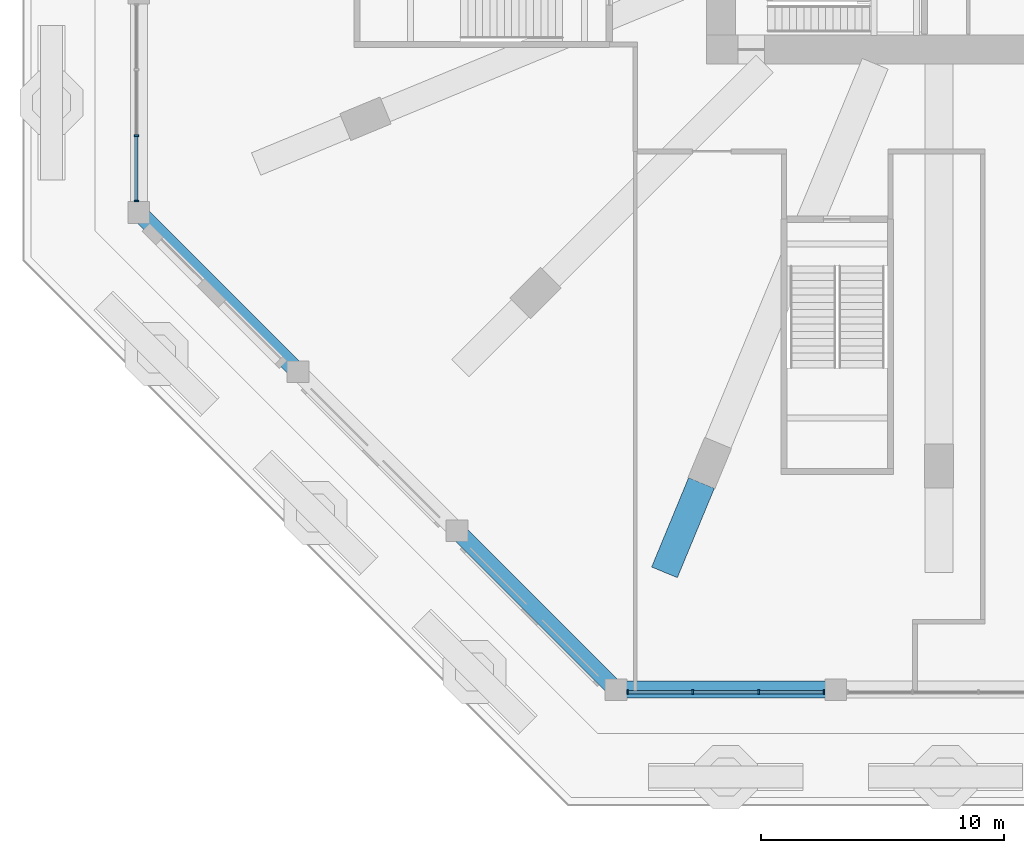
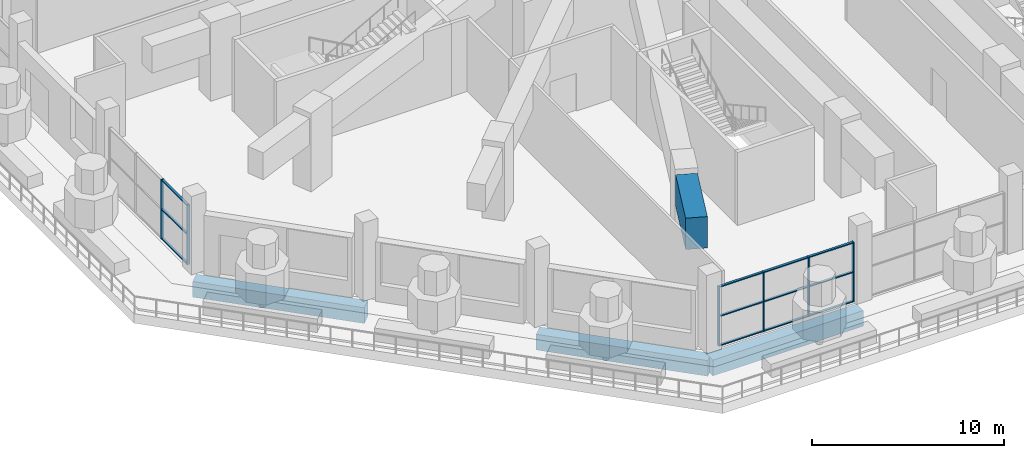
# One storey, part 2 of 25: 18 members, 4 beams, 2 elements without a shape of their own.
"""IFC4 building model written with IfcOpenShell, lengths in metres."""

import ifcopenshell
import ifcopenshell.guid

model = None  # the IFC model being written
_history = None  # IfcOwnerHistory: only IFC2X3 demands one
_inside = {}  # id of a spatial element -> (the spatial element, [elements in it])
_under = {}  # id of a project, library or spatial element -> (it, [spatial elements below it])
_declared = {}  # id of a project -> (the project, [libraries it declares])
_typed = {}  # id of a type object -> (the type object, [elements of that type])
_made_of = {}  # id of a material, layer set ... -> (it, [elements and type objects made of it])


def new_model(schema):
    """Start an empty IFC model of exactly this schema.

    Asked for "IFC4X3", IfcOpenShell would pick the latest addendum, in which some entities
    have other attributes; the version numbers below select the first issue.
    IFC2X3 requires an IfcOwnerHistory on every rooted entity: one is made here for all.
    """
    global model, _history
    if schema == "IFC4X3":
        model = ifcopenshell.file(schema_version=(4, 3, 0, 0))
    else:
        model = ifcopenshell.file(schema=schema)
    _inside.clear()
    _under.clear()
    _declared.clear()
    _typed.clear()
    _made_of.clear()
    _history = None
    if model.schema == "IFC2X3":
        org = make("IfcOrganization", Name="unknown")
        user = make(
            "IfcPersonAndOrganization",
            ThePerson=make("IfcPerson", FamilyName="unknown"),
            TheOrganization=org,
        )
        app = make(
            "IfcApplication",
            ApplicationDeveloper=org,
            Version="unknown",
            ApplicationFullName="unknown",
            ApplicationIdentifier="unknown",
        )
        _history = make(
            "IfcOwnerHistory",
            OwningUser=user,
            OwningApplication=app,
            ChangeAction="ADDED",
            CreationDate=0,
        )
    return model


def make(cls, **values):
    """One entity of the class cls with the attributes given. An attribute that is None is left unset."""
    return model.create_entity(
        cls, **{name: value for name, value in values.items() if value is not None}
    )


def rooted(cls, **values):
    """An entity with a GlobalId (a new one), such as an element, a storey or a relation."""
    return make(cls, GlobalId=ifcopenshell.guid.new(), OwnerHistory=_history, **values)


def si_unit(unit_type, name, prefix=None):
    """IfcSIUnit, for example si_unit("LENGTHUNIT", "METRE", prefix="MILLI")."""
    return make("IfcSIUnit", UnitType=unit_type, Prefix=prefix, Name=name)


def assignment(units):
    """IfcUnitAssignment: the units of a project."""
    return None if units is None else make("IfcUnitAssignment", Units=units)


def point(xyz):
    """IfcCartesianPoint."""
    return None if xyz is None else make("IfcCartesianPoint", Coordinates=xyz)


def direction(xyz):
    """IfcDirection."""
    return None if xyz is None else make("IfcDirection", DirectionRatios=xyz)


def frame(location, z_axis=None, x_axis=None):
    """IfcAxis2Placement3D, a coordinate frame: its origin and axes. An axis left out is left unset."""
    return make(
        "IfcAxis2Placement3D",
        Location=point(location),
        Axis=direction(z_axis),
        RefDirection=direction(x_axis),
    )


def frame_2d(location, x_axis=None):
    """IfcAxis2Placement2D, a coordinate frame in the plane: its origin and x axis."""
    return make(
        "IfcAxis2Placement2D", Location=point(location), RefDirection=direction(x_axis)
    )


def origin():
    """The frame at (0, 0, 0) with its axes left unset."""
    return frame((0.0, 0.0, 0.0))


def origin_2d():
    """The frame at (0, 0) in the plane with its x axis left unset."""
    return frame_2d((0.0, 0.0))


def place(relative_to, where):
    """IfcLocalPlacement: puts the frame where relative to a parent placement (None: the world)."""
    return make(
        "IfcLocalPlacement", PlacementRelTo=relative_to, RelativePlacement=where
    )


def context(
    kind, dimensions, precision=None, world=None, true_north=None, identifier=None
):
    """IfcGeometricRepresentationContext, for example the 3D "Model" context."""
    return make(
        "IfcGeometricRepresentationContext",
        ContextIdentifier=identifier,
        ContextType=kind,
        CoordinateSpaceDimension=dimensions,
        Precision=precision,
        WorldCoordinateSystem=world,
        TrueNorth=true_north,
    )


def subcontext(parent, identifier, kind, view, scale=None):
    """IfcGeometricRepresentationSubContext, for example "Body" below "Model"."""
    return make(
        "IfcGeometricRepresentationSubContext",
        ContextIdentifier=identifier,
        ContextType=kind,
        ParentContext=parent,
        TargetScale=scale,
        TargetView=view,
    )


def project(units=None, contexts=None):
    """IfcProject with its units and contexts."""
    return rooted(
        "IfcProject",
        Name="project",
        RepresentationContexts=contexts,
        UnitsInContext=assignment(units),
    )


def spatial(cls, under=None, at=None, **own):
    """A site, building, storey or space (cls), placed at a placement, below another one or the project."""
    s = rooted(cls, ObjectPlacement=at, **own)
    if under is not None:
        _under.setdefault(under.id(), (under, []))[1].append(s)
    return s


def profile(cls, at=None, kind="AREA", **sizes):
    """A parametric profile (cls). Its sizes go by their IFC names, for example OverallWidth=200.0."""
    return make(cls, ProfileType=kind, Position=at, **sizes)


def rectangle(**sizes):
    """IfcRectangleProfileDef."""
    return profile("IfcRectangleProfileDef", **sizes)


def extrude(swept, where, along, depth):
    """IfcExtrudedAreaSolid: the profile swept, set in the frame where, extruded along a direction by depth."""
    return make(
        "IfcExtrudedAreaSolid",
        SweptArea=swept,
        Position=where,
        ExtrudedDirection=direction(along),
        Depth=depth,
    )


def shape(context_of_items, identifier, shape_type, items):
    """IfcShapeRepresentation: the items that make up one representation, for example the "Body"."""
    return make(
        "IfcShapeRepresentation",
        ContextOfItems=context_of_items,
        RepresentationIdentifier=identifier,
        RepresentationType=shape_type,
        Items=items,
    )


def material(Name=None, Category=None):
    """IfcMaterial."""
    return make("IfcMaterial", Name=Name, Category=Category)


def material_profile(
    of_material, cross_section, Name=None, Category=None, Priority=None
):
    """IfcMaterialProfile: a cross section and its material."""
    return make(
        "IfcMaterialProfile",
        Name=Name,
        Material=of_material,
        Profile=cross_section,
        Priority=Priority,
        Category=Category,
    )


def profile_set(profiles, Name=None, composite=None):
    """IfcMaterialProfileSet."""
    return make(
        "IfcMaterialProfileSet",
        Name=Name,
        MaterialProfiles=profiles,
        CompositeProfile=composite,
    )


def made_of(thing, what):
    """Note that an element or type object is made of a material, layer set ...; save() writes the relation."""
    if what is not None:
        _made_of.setdefault(what.id(), (what, []))[1].append(thing)
    return thing


def type_object(cls, material=None, **own):
    """A type object (cls), such as IfcWallType, which elements share."""
    return made_of(rooted(cls, **own), material)


def element(
    cls,
    number,
    at=None,
    inside=None,
    cuts=None,
    type_object=None,
    material=None,
    context=None,
    identifier="Body",
    shape_type=None,
    held_by="IfcProductDefinitionShape",
    body=None,
    shapes=None,
    **own,
):
    """One element of the class cls, such as IfcWall. Its Tag is "e" and its number.

    at: its placement. inside: the storey or other place that contains it. cuts: it is an
    opening in that element (IfcRelVoidsElement). A single representation is given by context,
    identifier, shape_type and body (its items); several are given by shapes. held_by: the class
    of the entity that holds the representations. save() writes the other relations.
    """
    e = rooted(cls, Tag="e%d" % number, ObjectPlacement=at, **own)
    if body is not None:
        shapes = [shape(context, identifier, shape_type, body)]
    if shapes is not None:
        e.Representation = make(held_by, Representations=shapes)
    if inside is not None:
        _inside.setdefault(inside.id(), (inside, []))[1].append(e)
    if cuts is not None:
        rooted(
            "IfcRelVoidsElement", RelatingBuildingElement=cuts, RelatedOpeningElement=e
        )
    if type_object is not None:
        _typed.setdefault(type_object.id(), (type_object, []))[1].append(e)
    return made_of(e, material)


def aggregate(whole, parts):
    """IfcRelAggregates: a whole, such as a stair, and the parts it consists of."""
    return rooted("IfcRelAggregates", RelatingObject=whole, RelatedObjects=parts)


def save(model, path):
    """Write the relations noted so far, then the file.

    IfcRelAggregates (storeys below a building ...), IfcRelContainedInSpatialStructure (elements
    in a storey), IfcRelDefinesByType, IfcRelAssociatesMaterial and IfcRelDeclares: one each for
    every whole, place, type object, material and project.
    """
    for whole, parts in _under.values():
        aggregate(whole, parts)
    for where, things in _inside.values():
        rooted(
            "IfcRelContainedInSpatialStructure",
            RelatedElements=things,
            RelatingStructure=where,
        )
    for kind, things in _typed.values():
        rooted("IfcRelDefinesByType", RelatedObjects=things, RelatingType=kind)
    for what, things in _made_of.values():
        rooted("IfcRelAssociatesMaterial", RelatedObjects=things, RelatingMaterial=what)
    for by, libraries in _declared.values():
        rooted("IfcRelDeclares", RelatingContext=by, RelatedDefinitions=libraries)
    model.write(path)


model = new_model("IFC4")

# Units and contexts
model_context = context("Model", 3, precision=1e-05, world=origin(), true_north=direction((0.0, 1.0)))
body_context = subcontext(model_context, "Body", "Model", "MODEL_VIEW")
ifc_project = project(units=[si_unit("LENGTHUNIT", "METRE"), si_unit("AREAUNIT", "SQUARE_METRE"), si_unit("VOLUMEUNIT", "CUBIC_METRE"), si_unit("PLANEANGLEUNIT", "RADIAN"), si_unit("MASSUNIT", "GRAM", prefix="KILO")], contexts=[model_context])

# Site, building, storey
site_placement = place(None, origin())
site = spatial("IfcSite", under=ifc_project, at=site_placement, CompositionType="ELEMENT")
building_placement = place(site_placement, origin())
building = spatial("IfcBuilding", under=site, at=building_placement, Name="Msitu Wima Residences", CompositionType="ELEMENT")
storey_placement = place(building_placement, frame((0.0, 0.0, 11.0)))
storey = spatial("IfcBuildingStorey", under=building, at=storey_placement, Name="L02", CompositionType="ELEMENT", Elevation=11.0)

# Curtain wall, members
ifc_material_1 = material(Name="Anodised aluminium, bronze finish, clear low-emissivity double glazing", Category="aluminium")
curtain_wall_type = type_object("IfcCurtainWallType", Name="Curtain wall CW6 podium winter garden", PredefinedType="NOTDEFINED", material=ifc_material_1)
curtain_wall_1_placement = place(storey_placement, origin())
curtain_wall_1 = element("IfcCurtainWall", 1, at=curtain_wall_1_placement, inside=storey, type_object=curtain_wall_type, Name="Curtain wall CW6 L02 W3", PredefinedType="NOTDEFINED")
ifc_material_2 = material(Name="Anodised aluminium, bronze finish", Category="aluminium")
ifc_material_profile_1 = material_profile(ifc_material_2, rectangle(XDim=0.179931640625, YDim=0.06494140625, at=origin_2d()), Name="Mullion 65x180")
ifc_profile_set_1 = profile_set([ifc_material_profile_1], Name="Anodised aluminium, bronze finish")
member_type_1 = type_object("IfcMemberType", Name="Mullion CW6 65x180", PredefinedType="MULLION", material=ifc_profile_set_1)
member_1_placement = place(storey_placement, frame((-37.89990234375, -14.95654296875, 0.0), z_axis=(0.0, 0.0, 1.0), x_axis=(1.0, 0.0, 0.0)))
member_1 = element("IfcMember", 2, at=member_1_placement, type_object=member_type_1, Name="CW6 mullion 3", PredefinedType="MULLION", context=body_context, shape_type="SweptSolid", body=[
    extrude(rectangle(XDim=0.179931640625, YDim=0.06494140625, at=origin_2d()), origin(), (0.0, 0.0, 1.0), 3.800048828125),
])
member_2_placement = place(storey_placement, frame((-37.89990234375, -17.6455078125, 0.0), z_axis=(0.0, 0.0, 1.0), x_axis=(1.0, 0.0, 0.0)))
member_2 = element("IfcMember", 3, at=member_2_placement, type_object=member_type_1, Name="CW6 mullion 4", PredefinedType="MULLION", context=body_context, shape_type="SweptSolid", body=[
    extrude(rectangle(XDim=0.179931640625, YDim=0.06494140625, at=origin_2d()), origin(), (0.0, 0.0, 1.0), 3.800048828125),
])

curtain_wall_2_placement = place(storey_placement, origin())
curtain_wall_2 = element("IfcCurtainWall", 4, at=curtain_wall_2_placement, inside=storey, type_object=curtain_wall_type, Name="Curtain wall CW6 L02 S0", PredefinedType="NOTDEFINED")
member_3_placement = place(storey_placement, frame((-17.6455078125, -37.89990234375, 0.0), z_axis=(0.0, 0.0, 1.0), x_axis=(0.0, 1.0, 0.0)))
member_3 = element("IfcMember", 5, at=member_3_placement, type_object=member_type_1, Name="CW6 mullion 1", PredefinedType="MULLION", context=body_context, shape_type="SweptSolid", body=[
    extrude(rectangle(XDim=0.179931640625, YDim=0.06494140625, at=origin_2d()), origin(), (0.0, 0.0, 1.0), 3.800048828125),
])
member_4_placement = place(storey_placement, frame((-14.95654296875, -37.89990234375, 0.0), z_axis=(0.0, 0.0, 1.0), x_axis=(0.0, 1.0, 0.0)))
member_4 = element("IfcMember", 6, at=member_4_placement, type_object=member_type_1, Name="CW6 mullion 2", PredefinedType="MULLION", context=body_context, shape_type="SweptSolid", body=[
    extrude(rectangle(XDim=0.179931640625, YDim=0.06494140625, at=origin_2d()), origin(), (0.0, 0.0, 1.0), 3.800048828125),
])
member_5_placement = place(storey_placement, frame((-12.2353515625, -37.89990234375, 0.0), z_axis=(0.0, 0.0, 1.0), x_axis=(0.0, 1.0, 0.0)))
member_5 = element("IfcMember", 7, at=member_5_placement, type_object=member_type_1, Name="CW6 mullion 3", PredefinedType="MULLION", context=body_context, shape_type="SweptSolid", body=[
    extrude(rectangle(XDim=0.179931640625, YDim=0.06494140625, at=origin_2d()), origin(), (0.0, 0.0, 1.0), 3.800048828125),
])
member_6_placement = place(storey_placement, frame((-9.54638671875, -37.89990234375, 0.0), z_axis=(0.0, 0.0, 1.0), x_axis=(0.0, 1.0, 0.0)))
member_6 = element("IfcMember", 8, at=member_6_placement, type_object=member_type_1, Name="CW6 mullion 4", PredefinedType="MULLION", context=body_context, shape_type="SweptSolid", body=[
    extrude(rectangle(XDim=0.179931640625, YDim=0.06494140625, at=origin_2d()), origin(), (0.0, 0.0, 1.0), 3.800048828125),
])

# Beams
ifc_material_3 = material(Name="Concrete C60/75", Category="concrete")
ifc_material_profile_2 = material_profile(ifc_material_3, rectangle(XDim=1.14990234375, YDim=2.0, at=origin_2d()), Name="RC 1150x2000")
ifc_profile_set_2 = profile_set([ifc_material_profile_2], Name="Concrete C60/75")
beam_type_1 = type_object("IfcBeamType", Name="Podium cantilever girder tip RC 1150x2000 Concrete C60/75", PredefinedType="BEAM", material=ifc_profile_set_2)
beam_1_placement = place(storey_placement, frame((-14.5966796875, -29.274658203125, 3.64990234375), z_axis=(-0.382650802599, -0.923893047528, 0.0), x_axis=(0.923893047528, -0.382650802599, 0.0)))
element("IfcBeam", 9, at=beam_1_placement, inside=storey, type_object=beam_type_1, Name="Podium cantilever girder L03 C-S0 cantilever", PredefinedType="BEAM", context=body_context, shape_type="SweptSolid", body=[
    extrude(rectangle(XDim=1.14990234375, YDim=2.0, at=origin_2d()), origin(), (0.0, 0.0, 1.0), 3.990234375),
])
ifc_material_profile_3 = material_profile(ifc_material_3, rectangle(XDim=0.699951171875, YDim=1.0, at=origin_2d()), Name="RC 700x1000")
ifc_profile_set_3 = profile_set([ifc_material_profile_3], Name="Concrete C60/75")
beam_type_2 = type_object("IfcBeamType", Name="Terrace beam RC 700x1000 Concrete C60/75", PredefinedType="BEAM", material=ifc_profile_set_3)
for number, where, z_axis, x_axis, name in (
    (10, (-37.800048828125, -18.1279296875, -1.10009765625), (0.707106781187, -0.707106781187, 0.0), (0.707106781187, 0.707106781187, 0.0), "Terrace upstand-line beam L02 C-SW0"),
    (11, (-24.685302734375, -31.24267578125, -1.10009765625), (0.707106781187, -0.707106781187, 0.0), (0.707106781187, 0.707106781187, 0.0), "Terrace upstand-line beam L02 C-SW2"),
):
    element("IfcBeam", number, at=place(storey_placement, frame(where, z_axis=z_axis, x_axis=x_axis)), inside=storey, type_object=beam_type_2, Name=name, PredefinedType="BEAM", context=body_context, shape_type="SweptSolid", body=[
        extrude(rectangle(XDim=0.699951171875, YDim=1.0, at=origin_2d()), origin(), (0.0, 0.0, 1.0), 9.2734375),
    ])
beam_2_placement = place(storey_placement, frame((-18.1279296875, -37.800048828125, -1.10009765625), z_axis=(1.0, 0.0, 0.0), x_axis=(0.0, 1.0, 0.0)))
element("IfcBeam", 12, at=beam_2_placement, inside=storey, type_object=beam_type_2, Name="Terrace upstand-line beam L02 C-S0", PredefinedType="BEAM", context=body_context, shape_type="SweptSolid", body=[
    extrude(rectangle(XDim=0.699951171875, YDim=1.0, at=origin_2d()), origin(), (0.0, 0.0, 1.0), 9.06396484375),
])

# Member
ifc_material_profile_4 = material_profile(ifc_material_2, rectangle(XDim=0.139892578125, YDim=0.06494140625, at=origin_2d()), Name="Transom 65x140")
ifc_profile_set_4 = profile_set([ifc_material_profile_4], Name="Anodised aluminium, bronze finish")
member_type_2 = type_object("IfcMemberType", Name="Transom CW6 65x140", PredefinedType="USERDEFINED", material=ifc_profile_set_4)
member_7_placement = place(storey_placement, frame((-37.89990234375, -14.989013671875, 0.032470703125), z_axis=(0.0, -1.0, 0.0), x_axis=(1.0, 0.0, 0.0)))
member_7 = element("IfcMember", 13, at=member_7_placement, type_object=member_type_2, Name="CW6 transom 3.1", ObjectType="TRANSOM", PredefinedType="USERDEFINED", context=body_context, shape_type="SweptSolid", body=[
    extrude(rectangle(XDim=0.139892578125, YDim=0.06494140625, at=origin_2d()), origin(), (0.0, 0.0, 1.0), 2.6240234375),
])

member_8_placement = place(storey_placement, frame((-37.89990234375, -14.989013671875, 1.89990234375), z_axis=(0.0, -1.0, 0.0), x_axis=(1.0, 0.0, 0.0)))
member_8 = element("IfcMember", 14, at=member_8_placement, type_object=member_type_2, Name="CW6 transom 3.2", ObjectType="TRANSOM", PredefinedType="USERDEFINED", context=body_context, shape_type="SweptSolid", body=[
    extrude(rectangle(XDim=0.139892578125, YDim=0.06494140625, at=origin_2d()), origin(), (0.0, 0.0, 1.0), 2.6240234375),
])

member_9_placement = place(storey_placement, frame((-37.89990234375, -14.989013671875, 3.767578125), z_axis=(0.0, -1.0, 0.0), x_axis=(1.0, 0.0, 0.0)))
member_9 = element("IfcMember", 15, at=member_9_placement, type_object=member_type_2, Name="CW6 transom 3.3", ObjectType="TRANSOM", PredefinedType="USERDEFINED", context=body_context, shape_type="SweptSolid", body=[
    extrude(rectangle(XDim=0.139892578125, YDim=0.06494140625, at=origin_2d()), origin(), (0.0, 0.0, 1.0), 2.6240234375),
])

aggregate(curtain_wall_1, [member_1, member_2, member_7, member_8, member_9])

member_10_placement = place(storey_placement, frame((-17.613037109375, -37.89990234375, 0.032470703125), z_axis=(1.0, 0.0, 0.0), x_axis=(0.0, 1.0, 0.0)))
member_10 = element("IfcMember", 16, at=member_10_placement, type_object=member_type_2, Name="CW6 transom 1.1", ObjectType="TRANSOM", PredefinedType="USERDEFINED", context=body_context, shape_type="SweptSolid", body=[
    extrude(rectangle(XDim=0.139892578125, YDim=0.06494140625, at=origin_2d()), origin(), (0.0, 0.0, 1.0), 2.6240234375),
])

member_11_placement = place(storey_placement, frame((-17.613037109375, -37.89990234375, 1.89990234375), z_axis=(1.0, 0.0, 0.0), x_axis=(0.0, 1.0, 0.0)))
member_11 = element("IfcMember", 17, at=member_11_placement, type_object=member_type_2, Name="CW6 transom 1.2", ObjectType="TRANSOM", PredefinedType="USERDEFINED", context=body_context, shape_type="SweptSolid", body=[
    extrude(rectangle(XDim=0.139892578125, YDim=0.06494140625, at=origin_2d()), origin(), (0.0, 0.0, 1.0), 2.6240234375),
])

member_12_placement = place(storey_placement, frame((-17.613037109375, -37.89990234375, 3.767578125), z_axis=(1.0, 0.0, 0.0), x_axis=(0.0, 1.0, 0.0)))
member_12 = element("IfcMember", 18, at=member_12_placement, type_object=member_type_2, Name="CW6 transom 1.3", ObjectType="TRANSOM", PredefinedType="USERDEFINED", context=body_context, shape_type="SweptSolid", body=[
    extrude(rectangle(XDim=0.139892578125, YDim=0.06494140625, at=origin_2d()), origin(), (0.0, 0.0, 1.0), 2.6240234375),
])

member_13_placement = place(storey_placement, frame((-14.924072265625, -37.89990234375, 0.032470703125), z_axis=(1.0, 0.0, 0.0), x_axis=(0.0, 1.0, 0.0)))
member_13 = element("IfcMember", 19, at=member_13_placement, type_object=member_type_2, Name="CW6 transom 2.1", ObjectType="TRANSOM", PredefinedType="USERDEFINED", context=body_context, shape_type="SweptSolid", body=[
    extrude(rectangle(XDim=0.139892578125, YDim=0.06494140625, at=origin_2d()), origin(), (0.0, 0.0, 1.0), 2.65625),
])

member_14_placement = place(storey_placement, frame((-14.924072265625, -37.89990234375, 1.89990234375), z_axis=(1.0, 0.0, 0.0), x_axis=(0.0, 1.0, 0.0)))
member_14 = element("IfcMember", 20, at=member_14_placement, type_object=member_type_2, Name="CW6 transom 2.2", ObjectType="TRANSOM", PredefinedType="USERDEFINED", context=body_context, shape_type="SweptSolid", body=[
    extrude(rectangle(XDim=0.139892578125, YDim=0.06494140625, at=origin_2d()), origin(), (0.0, 0.0, 1.0), 2.65625),
])

member_15_placement = place(storey_placement, frame((-14.924072265625, -37.89990234375, 3.767578125), z_axis=(1.0, 0.0, 0.0), x_axis=(0.0, 1.0, 0.0)))
member_15 = element("IfcMember", 21, at=member_15_placement, type_object=member_type_2, Name="CW6 transom 2.3", ObjectType="TRANSOM", PredefinedType="USERDEFINED", context=body_context, shape_type="SweptSolid", body=[
    extrude(rectangle(XDim=0.139892578125, YDim=0.06494140625, at=origin_2d()), origin(), (0.0, 0.0, 1.0), 2.65625),
])

member_16_placement = place(storey_placement, frame((-12.202880859375, -37.89990234375, 0.032470703125), z_axis=(1.0, 0.0, 0.0), x_axis=(0.0, 1.0, 0.0)))
member_16 = element("IfcMember", 22, at=member_16_placement, type_object=member_type_2, Name="CW6 transom 3.1", ObjectType="TRANSOM", PredefinedType="USERDEFINED", context=body_context, shape_type="SweptSolid", body=[
    extrude(rectangle(XDim=0.139892578125, YDim=0.06494140625, at=origin_2d()), origin(), (0.0, 0.0, 1.0), 2.6240234375),
])

member_17_placement = place(storey_placement, frame((-12.202880859375, -37.89990234375, 1.89990234375), z_axis=(1.0, 0.0, 0.0), x_axis=(0.0, 1.0, 0.0)))
member_17 = element("IfcMember", 23, at=member_17_placement, type_object=member_type_2, Name="CW6 transom 3.2", ObjectType="TRANSOM", PredefinedType="USERDEFINED", context=body_context, shape_type="SweptSolid", body=[
    extrude(rectangle(XDim=0.139892578125, YDim=0.06494140625, at=origin_2d()), origin(), (0.0, 0.0, 1.0), 2.6240234375),
])

member_18_placement = place(storey_placement, frame((-12.202880859375, -37.89990234375, 3.767578125), z_axis=(1.0, 0.0, 0.0), x_axis=(0.0, 1.0, 0.0)))
member_18 = element("IfcMember", 24, at=member_18_placement, type_object=member_type_2, Name="CW6 transom 3.3", ObjectType="TRANSOM", PredefinedType="USERDEFINED", context=body_context, shape_type="SweptSolid", body=[
    extrude(rectangle(XDim=0.139892578125, YDim=0.06494140625, at=origin_2d()), origin(), (0.0, 0.0, 1.0), 2.6240234375),
])

aggregate(curtain_wall_2, [member_3, member_4, member_5, member_6, member_10, member_11, member_12, member_13, member_14, member_15, member_16, member_17, member_18])

save(model, "model.ifc")
